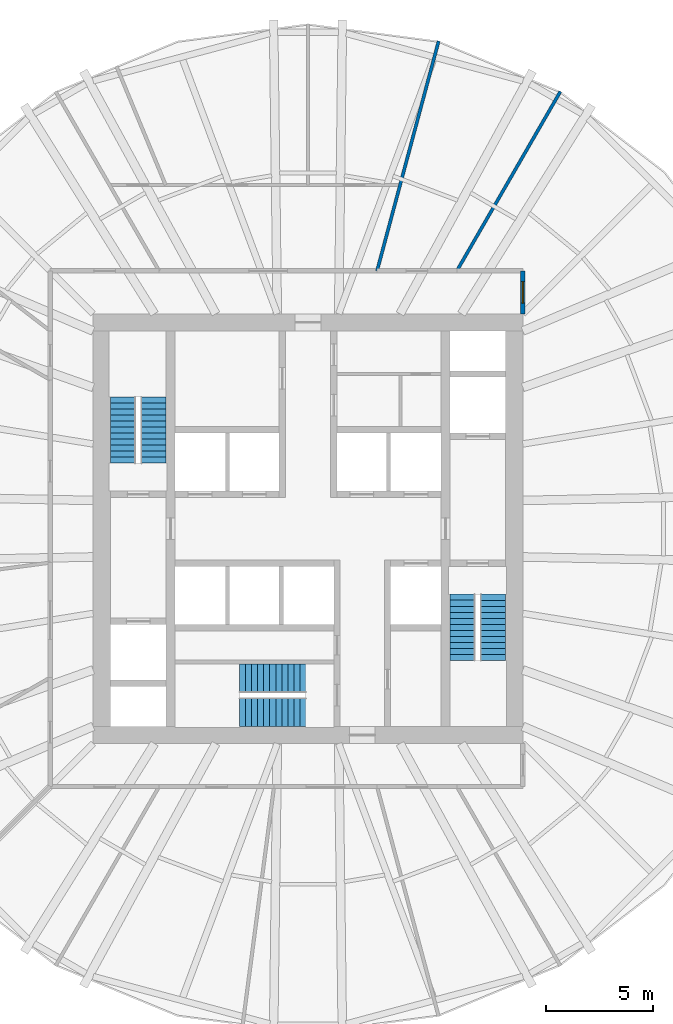
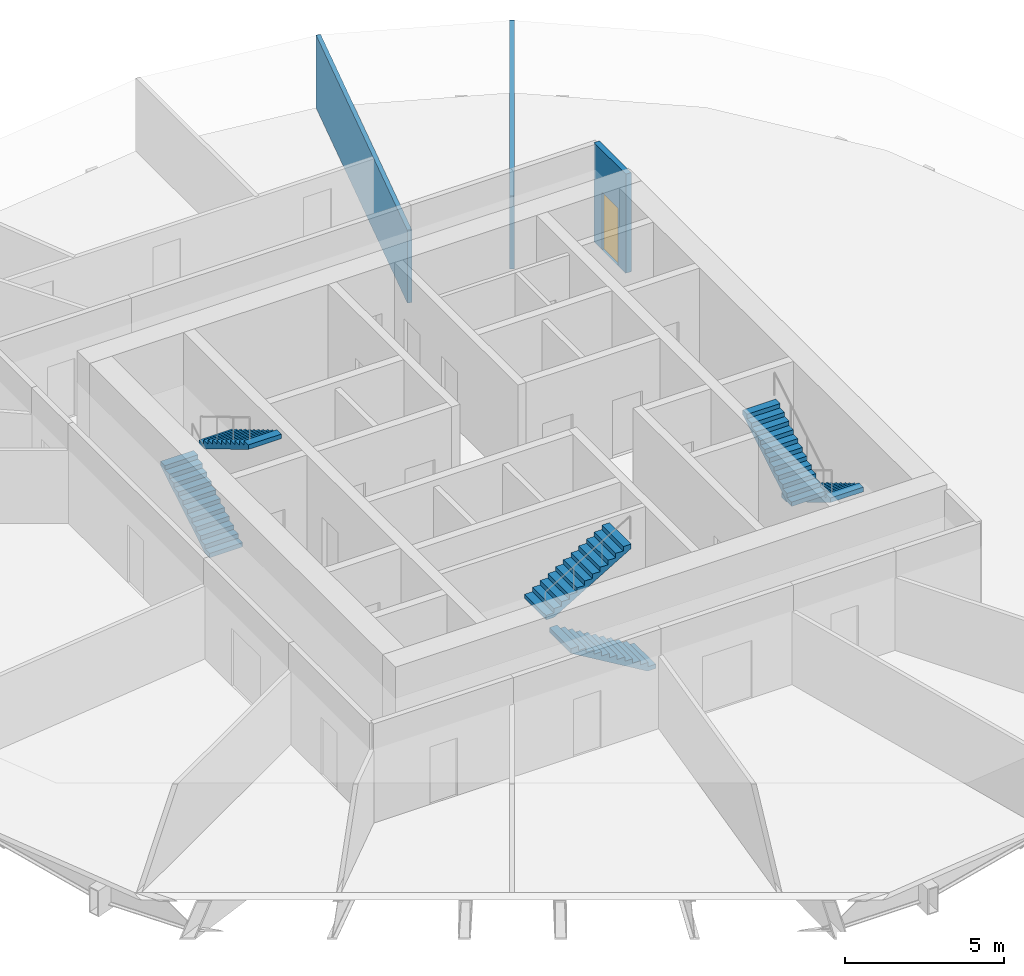
# One storey, part 5 of 6: 6 stair flights, 3 walls, 1 door, 1 opening, 3 elements without a shape of their own.
"""IFC4 building model written with IfcOpenShell, lengths in metres."""

from ifc_helpers import new_model, si_unit, direction, frame, frame_2d, origin, place, context, subcontext, project, spatial, polyline, rectangle, outline, extrude, material, layer, layer_set, type_object, element, fill, aggregate, save


model = new_model("IFC4")

# Units and contexts
model_context = context("Model", 3, precision=1e-05, world=origin(), true_north=direction((0.0, 1.0)))
body_context = subcontext(model_context, "Body", "Model", "MODEL_VIEW")
ifc_project = project(units=[si_unit("LENGTHUNIT", "METRE"), si_unit("AREAUNIT", "SQUARE_METRE"), si_unit("VOLUMEUNIT", "CUBIC_METRE"), si_unit("PLANEANGLEUNIT", "RADIAN"), si_unit("MASSUNIT", "GRAM", prefix="KILO")], contexts=[model_context])

# Site, building, storey
site_placement = place(None, origin())
site = spatial("IfcSite", under=ifc_project, at=site_placement, CompositionType="ELEMENT")
building_placement = place(site_placement, origin())
building = spatial("IfcBuilding", under=site, at=building_placement, Name="Golbaran Civic Tower", CompositionType="ELEMENT")
storey_placement = place(building_placement, frame((0.0, 0.0, 57.0)))
storey = spatial("IfcBuildingStorey", under=building, at=storey_placement, Name="L13", CompositionType="ELEMENT", Elevation=57.0)

# Wall, opening, door
ifc_material_1 = material(Name="Gypsum board on steel studs, fire-rated", Category="steel")
ifc_layer_1 = layer(ifc_material_1, 0.199951171875, Name="Gypsum board on steel studs, fire-rated")
ifc_layer_set_1 = layer_set([ifc_layer_1], Name="Gypsum board on steel studs, fire-rated")
wall_type_1 = type_object("IfcWallType", Name="CORRIDOR WALL 200", PredefinedType="PARTITIONING", material=ifc_layer_set_1)
wall_1_placement = place(storey_placement, frame((10.0, 10.0, 0.0), z_axis=(0.0, 0.0, 1.0), x_axis=(0.0, 1.0, 0.0)))
wall_1 = element("IfcWall", 1, at=wall_1_placement, inside=storey, type_object=wall_type_1, Name="Corridor end wall L13", PredefinedType="PARTITIONING", context=body_context, shape_type="SweptSolid", body=[
    extrude(rectangle(XDim=2.0, YDim=0.199951171875, at=frame_2d((1.0, 0.0))), origin(), (0.0, 0.0, 1.0), 3.800048828125),
])
opening_placement = place(wall_1_placement, frame((0.5, 0.0, 0.0)))
opening = element("IfcOpeningElement", 2, at=opening_placement, cuts=wall_1, Name="Opening L13.15", PredefinedType="OPENING", context=body_context, shape_type="SweptSolid", body=[
    extrude(rectangle(XDim=1.0, YDim=2.199951171875, at=frame_2d((0.5, 1.10009765625))), frame((0.0, 0.10986328125, 0.0), z_axis=(0.0, -1.0, 0.0), x_axis=(1.0, 0.0, 0.0)), (0.0, 0.0, 1.0), 0.219970703125),
])
ifc_material_2 = material(Name="Timber door set in steel frame", Category="steel")
door_type = type_object("IfcDoorType", Name="OFFICE DOOR 1000x2200", OperationType="SINGLE_SWING_LEFT", PredefinedType="DOOR", material=ifc_material_2)
door_placement = place(opening_placement, origin())
door = element("IfcDoor", 3, at=door_placement, inside=storey, type_object=door_type, Name="Open Office door L13", OperationType="SINGLE_SWING_LEFT", OverallHeight=2.199951171875, OverallWidth=1.0, PredefinedType="DOOR", context=body_context, shape_type="SweptSolid", body=[
    extrude(rectangle(XDim=1.0, YDim=2.199951171875, at=frame_2d((0.5, 1.10009765625))), frame((0.0, 0.02490234375, 0.0), z_axis=(0.0, -1.0, 0.0), x_axis=(1.0, 0.0, 0.0)), (0.0, 0.0, 1.0), 0.050048828125),
])
fill(opening, door)

# Walls
ifc_material_3 = material(Name="Gypsum board on steel studs", Category="steel")
ifc_layer_2 = layer(ifc_material_3, 0.14990234375, Name="Gypsum board on steel studs")
ifc_layer_set_2 = layer_set([ifc_layer_2], Name="Gypsum board on steel studs")
wall_type_2 = type_object("IfcWallType", Name="OFFICE PARTITION 150", PredefinedType="PARTITIONING", material=ifc_layer_set_2)
wall_2_placement = place(storey_placement, frame((6.92822265625, 12.0, 0.0), z_axis=(0.0, 0.0, 1.0), x_axis=(0.499991431567, 0.866030350715, 0.0)))
element("IfcWall", 4, at=wall_2_placement, inside=storey, type_object=wall_type_2, Name="Partition 60 L13", PredefinedType="PARTITIONING", context=body_context, shape_type="SweptSolid", body=[
    extrude(rectangle(XDim=9.637939453125, YDim=0.14990234375, at=frame_2d((4.81884765625, 0.0))), origin(), (0.0, 0.0, 1.0), 2.7900390625),
])
wall_3_placement = place(storey_placement, frame((3.21533203125, 12.0, 0.0), z_axis=(0.0, 0.0, 1.0), x_axis=(0.258830514209, 0.965922753078, 0.0)))
element("IfcWall", 5, at=wall_3_placement, inside=storey, type_object=wall_type_2, Name="Partition 75 L13", PredefinedType="PARTITIONING", context=body_context, shape_type="SweptSolid", body=[
    extrude(rectangle(XDim=11.07080078125, YDim=0.14990234375, at=frame_2d((5.535400390625, 0.0))), origin(), (0.0, 0.0, 1.0), 2.7900390625),
])

# Stair, stair flights
ifc_material_4 = material(Name="Concrete C35/45", Category="concrete")
stair_type_1 = type_object("IfcStairType", Name="EXIT STAIR 2600 x 7450, 4000 RISE", PredefinedType="HALF_TURN_STAIR", material=ifc_material_4)
stair_1_placement = place(storey_placement, origin())
stair_1 = element("IfcStair", 6, at=stair_1_placement, inside=storey, type_object=stair_type_1, Name="Stair S1 L13", PredefinedType="HALF_TURN_STAIR")
stair_flight_type_1 = type_object("IfcStairFlightType", Name="STAIR FLIGHT 1200 WIDE", PredefinedType="STRAIGHT", material=ifc_material_4)
stair_flight_1_placement = place(storey_placement, frame((-8.60009765625, 3.050048828125, 0.0), z_axis=(0.0, 0.0, 1.0), x_axis=(0.0, 1.0, 0.0)))
stair_flight_1 = element("IfcStairFlight", 7, at=stair_flight_1_placement, type_object=stair_flight_type_1, Name="ST26074-40 flight 1", NumberOfRisers=12, NumberOfTreads=11, PredefinedType="STRAIGHT", RiserHeight=0.166666667, TreadLength=0.28, context=body_context, shape_type="SweptSolid", body=[
    extrude(outline(polyline([(0.0, 0.0), (0.0, 0.166748046875), (0.280029296875, 0.166748046875), (0.280029296875, 0.333251953125), (0.56005859375, 0.333251953125), (0.56005859375, 0.5), (0.840087890625, 0.5), (0.840087890625, 0.666748046875), (1.1201171875, 0.666748046875), (1.1201171875, 0.833251953125), (1.39990234375, 0.833251953125), (1.39990234375, 1.0), (1.679931640625, 1.0), (1.679931640625, 1.166748046875), (1.9599609375, 1.166748046875), (1.9599609375, 1.333251953125), (2.239990234375, 1.333251953125), (2.239990234375, 1.5), (2.52001953125, 1.5), (2.52001953125, 1.666748046875), (2.800048828125, 1.666748046875), (2.800048828125, 1.833251953125), (3.080078125, 1.833251953125), (3.080078125, 2.0), (3.080078125, 1.658935546875), (0.29296875, 0.0), (0.0, 0.0)])), frame((0.0, 0.60009765625, 0.0), z_axis=(0.0, -1.0, 0.0), x_axis=(1.0, 0.0, 0.0)), (0.0, 0.0, 1.0), 1.199951171875),
])
stair_flight_2_placement = place(storey_placement, frame((-7.199951171875, 6.1298828125, 2.0), z_axis=(0.0, 0.0, 1.0), x_axis=(0.0, -1.0, 0.0)))
stair_flight_2 = element("IfcStairFlight", 8, at=stair_flight_2_placement, type_object=stair_flight_type_1, Name="ST26074-40 flight 2", NumberOfRisers=12, NumberOfTreads=11, PredefinedType="STRAIGHT", RiserHeight=0.166666667, TreadLength=0.28, context=body_context, shape_type="SweptSolid", body=[
    extrude(outline(polyline([(0.0, 0.0), (0.0, 0.166748046875), (0.280029296875, 0.166748046875), (0.280029296875, 0.333251953125), (0.56005859375, 0.333251953125), (0.56005859375, 0.5), (0.840087890625, 0.5), (0.840087890625, 0.666748046875), (1.1201171875, 0.666748046875), (1.1201171875, 0.833251953125), (1.39990234375, 0.833251953125), (1.39990234375, 1.0), (1.679931640625, 1.0), (1.679931640625, 1.166748046875), (1.9599609375, 1.166748046875), (1.9599609375, 1.333251953125), (2.239990234375, 1.333251953125), (2.239990234375, 1.5), (2.52001953125, 1.5), (2.52001953125, 1.666748046875), (2.800048828125, 1.666748046875), (2.800048828125, 1.833251953125), (3.080078125, 1.833251953125), (3.080078125, 2.0), (3.080078125, 1.658935546875), (0.29296875, 0.0), (0.0, 0.0)])), frame((0.0, 0.60009765625, 0.0), z_axis=(0.0, -1.0, 0.0), x_axis=(1.0, 0.0, 0.0)), (0.0, 0.0, 1.0), 1.199951171875),
])
aggregate(stair_1, [stair_flight_1, stair_flight_2])

stair_2_placement = place(storey_placement, origin())
stair_2 = element("IfcStair", 9, at=stair_2_placement, inside=storey, type_object=stair_type_1, Name="Stair S2 L13", PredefinedType="HALF_TURN_STAIR")
stair_flight_3_placement = place(storey_placement, frame((8.60009765625, -3.050048828125, 0.0), z_axis=(0.0, 0.0, 1.0), x_axis=(0.0, -1.0, 0.0)))
stair_flight_3 = element("IfcStairFlight", 10, at=stair_flight_3_placement, type_object=stair_flight_type_1, Name="ST26074-40 flight 1", NumberOfRisers=12, NumberOfTreads=11, PredefinedType="STRAIGHT", RiserHeight=0.166666667, TreadLength=0.28, context=body_context, shape_type="SweptSolid", body=[
    extrude(outline(polyline([(0.0, 0.0), (0.0, 0.166748046875), (0.280029296875, 0.166748046875), (0.280029296875, 0.333251953125), (0.56005859375, 0.333251953125), (0.56005859375, 0.5), (0.840087890625, 0.5), (0.840087890625, 0.666748046875), (1.1201171875, 0.666748046875), (1.1201171875, 0.833251953125), (1.39990234375, 0.833251953125), (1.39990234375, 1.0), (1.679931640625, 1.0), (1.679931640625, 1.166748046875), (1.9599609375, 1.166748046875), (1.9599609375, 1.333251953125), (2.239990234375, 1.333251953125), (2.239990234375, 1.5), (2.52001953125, 1.5), (2.52001953125, 1.666748046875), (2.800048828125, 1.666748046875), (2.800048828125, 1.833251953125), (3.080078125, 1.833251953125), (3.080078125, 2.0), (3.080078125, 1.658935546875), (0.29296875, 0.0), (0.0, 0.0)])), frame((0.0, 0.60009765625, 0.0), z_axis=(0.0, -1.0, 0.0), x_axis=(1.0, 0.0, 0.0)), (0.0, 0.0, 1.0), 1.199951171875),
])
stair_flight_4_placement = place(storey_placement, frame((7.199951171875, -6.1298828125, 2.0), z_axis=(0.0, 0.0, 1.0), x_axis=(0.0, 1.0, 0.0)))
stair_flight_4 = element("IfcStairFlight", 11, at=stair_flight_4_placement, type_object=stair_flight_type_1, Name="ST26074-40 flight 2", NumberOfRisers=12, NumberOfTreads=11, PredefinedType="STRAIGHT", RiserHeight=0.166666667, TreadLength=0.28, context=body_context, shape_type="SweptSolid", body=[
    extrude(outline(polyline([(0.0, 0.0), (0.0, 0.166748046875), (0.280029296875, 0.166748046875), (0.280029296875, 0.333251953125), (0.56005859375, 0.333251953125), (0.56005859375, 0.5), (0.840087890625, 0.5), (0.840087890625, 0.666748046875), (1.1201171875, 0.666748046875), (1.1201171875, 0.833251953125), (1.39990234375, 0.833251953125), (1.39990234375, 1.0), (1.679931640625, 1.0), (1.679931640625, 1.166748046875), (1.9599609375, 1.166748046875), (1.9599609375, 1.333251953125), (2.239990234375, 1.333251953125), (2.239990234375, 1.5), (2.52001953125, 1.5), (2.52001953125, 1.666748046875), (2.800048828125, 1.666748046875), (2.800048828125, 1.833251953125), (3.080078125, 1.833251953125), (3.080078125, 2.0), (3.080078125, 1.658935546875), (0.29296875, 0.0), (0.0, 0.0)])), frame((0.0, 0.60009765625, 0.0), z_axis=(0.0, -1.0, 0.0), x_axis=(1.0, 0.0, 0.0)), (0.0, 0.0, 1.0), 1.199951171875),
])
aggregate(stair_2, [stair_flight_3, stair_flight_4])

stair_type_2 = type_object("IfcStairType", Name="EXIT STAIR 2900 x 7400, 4000 RISE", PredefinedType="HALF_TURN_STAIR", material=ifc_material_4)
stair_3_placement = place(storey_placement, origin())
stair_3 = element("IfcStair", 12, at=stair_3_placement, inside=storey, type_object=stair_type_2, Name="Stair S3 L13", PredefinedType="HALF_TURN_STAIR")
stair_flight_type_2 = type_object("IfcStairFlightType", Name="STAIR FLIGHT 1350 WIDE", PredefinedType="STRAIGHT", material=ifc_material_4)
stair_flight_5_placement = place(storey_placement, frame((-0.10009765625, -8.52490234375, 0.0), z_axis=(0.0, 0.0, 1.0), x_axis=(-1.0, 0.0, 0.0)))
stair_flight_5 = element("IfcStairFlight", 13, at=stair_flight_5_placement, type_object=stair_flight_type_2, Name="ST29074-40 flight 1", NumberOfRisers=12, NumberOfTreads=11, PredefinedType="STRAIGHT", RiserHeight=0.166666667, TreadLength=0.28, context=body_context, shape_type="SweptSolid", body=[
    extrude(outline(polyline([(0.0, 0.0), (0.0, 0.166748046875), (0.280029296875, 0.166748046875), (0.280029296875, 0.333251953125), (0.56005859375, 0.333251953125), (0.56005859375, 0.5), (0.840087890625, 0.5), (0.840087890625, 0.666748046875), (1.1201171875, 0.666748046875), (1.1201171875, 0.833251953125), (1.39990234375, 0.833251953125), (1.39990234375, 1.0), (1.679931640625, 1.0), (1.679931640625, 1.166748046875), (1.9599609375, 1.166748046875), (1.9599609375, 1.333251953125), (2.239990234375, 1.333251953125), (2.239990234375, 1.5), (2.52001953125, 1.5), (2.52001953125, 1.666748046875), (2.800048828125, 1.666748046875), (2.800048828125, 1.833251953125), (3.080078125, 1.833251953125), (3.080078125, 2.0), (3.080078125, 1.658935546875), (0.29296875, 0.0), (0.0, 0.0)])), frame((0.0, 0.675048828125, 0.0), z_axis=(0.0, -1.0, 0.0), x_axis=(1.0, 0.0, 0.0)), (0.0, 0.0, 1.0), 1.35009765625),
])
stair_flight_6_placement = place(storey_placement, frame((-3.179931640625, -6.97509765625, 2.0), z_axis=(0.0, 0.0, 1.0), x_axis=(1.0, 0.0, 0.0)))
stair_flight_6 = element("IfcStairFlight", 14, at=stair_flight_6_placement, type_object=stair_flight_type_2, Name="ST29074-40 flight 2", NumberOfRisers=12, NumberOfTreads=11, PredefinedType="STRAIGHT", RiserHeight=0.166666667, TreadLength=0.28, context=body_context, shape_type="SweptSolid", body=[
    extrude(outline(polyline([(0.0, 0.0), (0.0, 0.166748046875), (0.280029296875, 0.166748046875), (0.280029296875, 0.333251953125), (0.56005859375, 0.333251953125), (0.56005859375, 0.5), (0.840087890625, 0.5), (0.840087890625, 0.666748046875), (1.1201171875, 0.666748046875), (1.1201171875, 0.833251953125), (1.39990234375, 0.833251953125), (1.39990234375, 1.0), (1.679931640625, 1.0), (1.679931640625, 1.166748046875), (1.9599609375, 1.166748046875), (1.9599609375, 1.333251953125), (2.239990234375, 1.333251953125), (2.239990234375, 1.5), (2.52001953125, 1.5), (2.52001953125, 1.666748046875), (2.800048828125, 1.666748046875), (2.800048828125, 1.833251953125), (3.080078125, 1.833251953125), (3.080078125, 2.0), (3.080078125, 1.658935546875), (0.29296875, 0.0), (0.0, 0.0)])), frame((0.0, 0.675048828125, 0.0), z_axis=(0.0, -1.0, 0.0), x_axis=(1.0, 0.0, 0.0)), (0.0, 0.0, 1.0), 1.35009765625),
])
aggregate(stair_3, [stair_flight_5, stair_flight_6])

save(model, "model.ifc")
